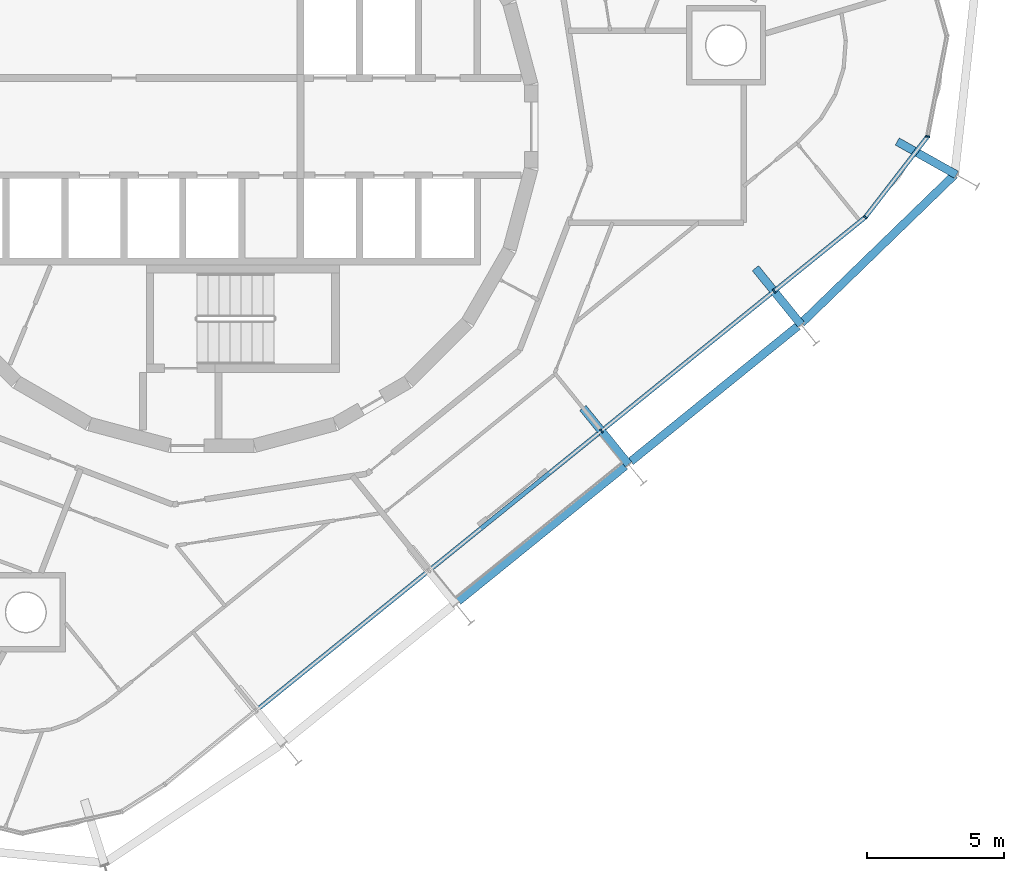
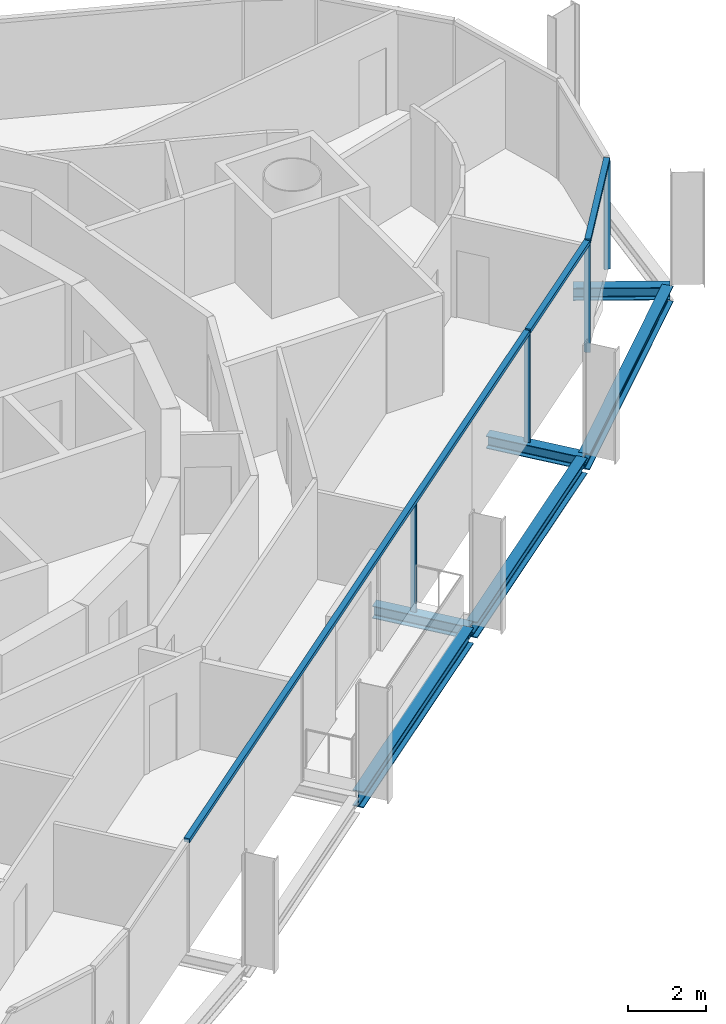
# One storey, part 4 of 17: 7 members, 6 beams, 2 elements without a shape of their own.
"""IFC4 building model written with IfcOpenShell, lengths in metres."""

from ifc_helpers import new_model, si_unit, direction, frame, origin, origin_2d, place, context, subcontext, project, spatial, rectangle, i_section, extrude, material, layer, layer_set, material_profile, profile_set, type_object, element, aggregate, save


model = new_model("IFC4")

# Units and contexts
model_context = context("Model", 3, precision=1e-05, world=origin(), true_north=direction((0.0, 1.0)))
body_context = subcontext(model_context, "Body", "Model", "MODEL_VIEW")
ifc_project = project(units=[si_unit("LENGTHUNIT", "METRE"), si_unit("AREAUNIT", "SQUARE_METRE"), si_unit("VOLUMEUNIT", "CUBIC_METRE"), si_unit("PLANEANGLEUNIT", "RADIAN"), si_unit("MASSUNIT", "GRAM", prefix="KILO")], contexts=[model_context])

# Site, building, storey
site_placement = place(None, origin())
site = spatial("IfcSite", under=ifc_project, at=site_placement, CompositionType="ELEMENT")
building_placement = place(site_placement, origin())
building = spatial("IfcBuilding", under=site, at=building_placement, Name="Spindle Arch Residences", CompositionType="ELEMENT")
storey_placement = place(building_placement, frame((0.0, 0.0, 266.89990234375)))
storey = spatial("IfcBuildingStorey", under=building, at=storey_placement, Name="L68", CompositionType="ELEMENT", Elevation=266.89990234375)

# Curtain wall, members
ifc_material_1 = material(Name="Aluminium bronze unitised frame with tinted glass", Category="aluminium")
ifc_layer_1 = layer(ifc_material_1, 0.159912109375)
ifc_layer_set_1 = layer_set([ifc_layer_1], Name="CW-D corner wall on the fillet arcs")
curtain_wall_type_1 = type_object("IfcCurtainWallType", Name="CW-D corner wall on the fillet arcs", PredefinedType="NOTDEFINED", material=ifc_layer_set_1)
curtain_wall_1_placement = place(storey_placement, origin())
curtain_wall_1 = element("IfcCurtainWall", 1, at=curtain_wall_1_placement, inside=storey, type_object=curtain_wall_type_1, Name="CW-D L68 run 1", PredefinedType="NOTDEFINED")
ifc_material_2 = material(Name="Aluminium bronze anodised mullion", Category="aluminium")
ifc_material_profile_1 = material_profile(ifc_material_2, rectangle(XDim=0.159912109375, YDim=0.06005859375, at=origin_2d()), Name="MU 60x160")
ifc_profile_set_1 = profile_set([ifc_material_profile_1], Name="Aluminium bronze anodised mullion")
member_type_1 = type_object("IfcMemberType", Name="Bronze mullion 60x160", PredefinedType="MULLION", material=ifc_profile_set_1)
member_1_placement = place(storey_placement, frame((20.512451171875, -6.006103515625, -0.3798828125), z_axis=(0.0, 0.0, 1.0), x_axis=(-0.62932039105, 0.777145961457, 0.0)))
member_1 = element("IfcMember", 2, at=member_1_placement, type_object=member_type_1, Name="CW-D mullion 00", PredefinedType="MULLION", context=body_context, shape_type="SweptSolid", body=[
    extrude(rectangle(XDim=0.159912109375, YDim=0.06005859375, at=origin_2d()), origin(), (0.0, 0.0, 1.0), 3.3798828125),
])
member_2_placement = place(storey_placement, frame((23.84423828125, -3.30810546875, -0.3798828125), z_axis=(0.0, 0.0, 1.0), x_axis=(-0.791579170105, 0.611066622764, 0.0)))
member_2 = element("IfcMember", 3, at=member_2_placement, type_object=member_type_1, Name="CW-D mullion 01", PredefinedType="MULLION", context=body_context, shape_type="SweptSolid", body=[
    extrude(rectangle(XDim=0.159912109375, YDim=0.06005859375, at=origin_2d()), origin(), (0.0, 0.0, 1.0), 3.3798828125),
])
member_3_placement = place(storey_placement, frame((26.12158203125, -0.358154296875, -0.3798828125), z_axis=(0.0, 0.0, 1.0), x_axis=(-0.981627183558, 0.190808994811, 0.0)))
member_3 = element("IfcMember", 4, at=member_3_placement, type_object=member_type_1, Name="CW-D mullion 02", PredefinedType="MULLION", context=body_context, shape_type="SweptSolid", body=[
    extrude(rectangle(XDim=0.159912109375, YDim=0.06005859375, at=origin_2d()), origin(), (0.0, 0.0, 1.0), 3.3798828125),
])

# Curtain wall, member
ifc_material_3 = material(Name="Aluminium bronze unitised frame with tinted glass", Category="aluminium")
ifc_layer_2 = layer(ifc_material_3, 0.159912109375)
ifc_layer_set_2 = layer_set([ifc_layer_2], Name="CW-C typical residential unitised wall")
curtain_wall_type_2 = type_object("IfcCurtainWallType", Name="CW-C typical residential unitised wall", PredefinedType="NOTDEFINED", material=ifc_layer_set_2)
curtain_wall_2_placement = place(storey_placement, origin())
curtain_wall_2 = element("IfcCurtainWall", 5, at=curtain_wall_2_placement, inside=storey, type_object=curtain_wall_type_2, Name="CW-C L68 run 6", PredefinedType="NOTDEFINED")
member_4_placement = place(storey_placement, frame((14.211669921875, -11.1083984375, -0.3798828125), z_axis=(0.0, 0.0, 1.0), x_axis=(-0.62932039105, 0.777145961457, 0.0)))
member_4 = element("IfcMember", 6, at=member_4_placement, type_object=member_type_1, Name="CW-C mullion 00", PredefinedType="MULLION", context=body_context, shape_type="SweptSolid", body=[
    extrude(rectangle(XDim=0.159912109375, YDim=0.06005859375, at=origin_2d()), origin(), (0.0, 0.0, 1.0), 3.3798828125),
])

# Member
ifc_material_4 = material(Name="Aluminium bronze anodised transom", Category="aluminium")
ifc_material_profile_2 = material_profile(ifc_material_4, rectangle(XDim=0.159912109375, YDim=0.1201171875, at=origin_2d()), Name="TR 120x160")
ifc_profile_set_2 = profile_set([ifc_material_profile_2], Name="Aluminium bronze anodised transom")
member_type_2 = type_object("IfcMemberType", Name="Bronze transom 120x160", PredefinedType="USERDEFINED", material=ifc_profile_set_2)
member_5_placement = place(storey_placement, frame((20.535888671875, -5.9873046875, 3.06005859375), z_axis=(0.777158783918, 0.6293045563, 0.0), x_axis=(-0.6293045563, 0.777158783918, 0.0)))
member_5 = element("IfcMember", 7, at=member_5_placement, type_object=member_type_2, Name="CW-D transom 00", ObjectType="TRANSOM", PredefinedType="USERDEFINED", context=body_context, shape_type="SweptSolid", body=[
    extrude(rectangle(XDim=0.159912109375, YDim=0.1201171875, at=origin_2d()), origin(), (0.0, 0.0, 1.0), 4.22705078125),
])

member_6_placement = place(storey_placement, frame((23.862548828125, -3.284423828125, 3.06005859375), z_axis=(0.611074135379, 0.791573370617, 0.0), x_axis=(-0.791573370617, 0.611074135379, 0.0)))
member_6 = element("IfcMember", 8, at=member_6_placement, type_object=member_type_2, Name="CW-D transom 01", ObjectType="TRANSOM", PredefinedType="USERDEFINED", context=body_context, shape_type="SweptSolid", body=[
    extrude(rectangle(XDim=0.159912109375, YDim=0.1201171875, at=origin_2d()), origin(), (0.0, 0.0, 1.0), 3.666748046875),
])

aggregate(curtain_wall_1, [member_1, member_5, member_2, member_6, member_3])

member_7_placement = place(storey_placement, frame((1.633544921875, -21.294189453125, 3.06005859375), z_axis=(0.777146208679, 0.629320085756, 0.0), x_axis=(-0.629320085756, 0.777146208679, 0.0)))
member_7 = element("IfcMember", 9, at=member_7_placement, type_object=member_type_2, Name="CW-C transom 00", ObjectType="TRANSOM", PredefinedType="USERDEFINED", context=body_context, shape_type="SweptSolid", body=[
    extrude(rectangle(XDim=0.159912109375, YDim=0.1201171875, at=origin_2d()), origin(), (0.0, 0.0, 1.0), 24.2626953125),
])

aggregate(curtain_wall_2, [member_7, member_4])

# Beams
ifc_material_5 = material(Name="Steel S460ML, intumescent coating R 120", Category="steel")
ifc_material_profile_3 = material_profile(ifc_material_5, i_section(OverallWidth=0.300048828125, OverallDepth=0.5, WebThickness=0.014404296875, FlangeThickness=0.028076171875, FilletRadius=0.027099609375, at=origin_2d()), Name="HEB 500")
ifc_profile_set_3 = profile_set([ifc_material_profile_3], Name="Steel S460ML, intumescent coating R 120")
beam_type_1 = type_object("IfcBeamType", Name="Exoskeleton edge beam HEB 500", PredefinedType="BEAM", material=ifc_profile_set_3)
beam_1_placement = place(storey_placement, frame((15.281982421875, -12.223388671875, -0.6298828125), z_axis=(0.777152125993, 0.629312778406, 0.0), x_axis=(-0.629312778406, 0.777152125993, 0.0)))
element("IfcBeam", 10, at=beam_1_placement, inside=storey, type_object=beam_type_1, Name="Exoskeleton edge beam 1", PredefinedType="BEAM", context=body_context, shape_type="SweptSolid", body=[
    extrude(i_section(OverallWidth=0.300048828125, OverallDepth=0.5, WebThickness=0.014404296875, FlangeThickness=0.028076171875, FilletRadius=0.027099609375, at=origin_2d()), origin(), (0.0, 0.0, 1.0), 7.847412109375),
])
beam_2_placement = place(storey_placement, frame((21.51025390625, -7.176025390625, -0.6298828125), z_axis=(0.718254418366, 0.695780562029, 0.0), x_axis=(-0.695780562029, 0.718254418366, 0.0)))
element("IfcBeam", 11, at=beam_2_placement, inside=storey, type_object=beam_type_1, Name="Exoskeleton edge beam 2", PredefinedType="BEAM", context=body_context, shape_type="SweptSolid", body=[
    extrude(i_section(OverallWidth=0.300048828125, OverallDepth=0.5, WebThickness=0.014404296875, FlangeThickness=0.028076171875, FilletRadius=0.027099609375, at=origin_2d()), origin(), (0.0, 0.0, 1.0), 7.7890625),
])
beam_3_placement = place(storey_placement, frame((8.981201171875, -17.32568359375, -0.6298828125), z_axis=(0.777152125993, 0.629312778406, 0.0), x_axis=(-0.629312778406, 0.777152125993, 0.0)))
element("IfcBeam", 12, at=beam_3_placement, inside=storey, type_object=beam_type_1, Name="Exoskeleton edge beam 20", PredefinedType="BEAM", context=body_context, shape_type="SweptSolid", body=[
    extrude(i_section(OverallWidth=0.300048828125, OverallDepth=0.5, WebThickness=0.014404296875, FlangeThickness=0.028076171875, FilletRadius=0.027099609375, at=origin_2d()), origin(), (0.0, 0.0, 1.0), 7.847412109375),
])
ifc_material_6 = material(Name="Steel S460ML, intumescent coating R 120", Category="steel")
ifc_material_profile_4 = material_profile(ifc_material_6, i_section(OverallWidth=0.300048828125, OverallDepth=0.389892578125, WebThickness=0.010986328125, FlangeThickness=0.01904296875, FilletRadius=0.027099609375, at=origin_2d()), Name="HEA 400")
ifc_profile_set_4 = profile_set([ifc_material_profile_4], Name="Steel S460ML, intumescent coating R 120")
beam_type_2 = type_object("IfcBeamType", Name="Floor outrigger HEA 400", PredefinedType="BEAM", material=ifc_profile_set_4)
for number, where, z_axis, x_axis, name in (
    (13, (15.19970703125, -12.32861328125, -0.574951171875), (-0.629301579077, 0.777161194715, 0.0), (-0.777161194715, -0.629301579077, 0.0), "Floor outrigger 1"),
    (14, (21.50048828125, -7.226318359375, -0.574951171875), (-0.629301579077, 0.777161194715, 0.0), (-0.777161194715, -0.629301579077, 0.0), "Floor outrigger 2"),
):
    element("IfcBeam", number, at=place(storey_placement, frame(where, z_axis=z_axis, x_axis=x_axis)), inside=storey, type_object=beam_type_2, Name=name, PredefinedType="BEAM", context=body_context, shape_type="SweptSolid", body=[
        extrude(i_section(OverallWidth=0.300048828125, OverallDepth=0.389892578125, WebThickness=0.010986328125, FlangeThickness=0.01904296875, FilletRadius=0.027099609375, at=origin_2d()), origin(), (0.0, 0.0, 1.0), 2.650146484375),
    ])
beam_4_placement = place(storey_placement, frame((27.172607421875, -1.75537109375, -0.574951171875), z_axis=(-0.871838442856, 0.489793558102, 0.0), x_axis=(-0.489793558102, -0.871838442856, 0.0)))
element("IfcBeam", 15, at=beam_4_placement, inside=storey, type_object=beam_type_2, Name="Floor outrigger 3", PredefinedType="BEAM", context=body_context, shape_type="SweptSolid", body=[
    extrude(i_section(OverallWidth=0.300048828125, OverallDepth=0.389892578125, WebThickness=0.010986328125, FlangeThickness=0.01904296875, FilletRadius=0.027099609375, at=origin_2d()), origin(), (0.0, 0.0, 1.0), 2.478759765625),
])

save(model, "model.ifc")
